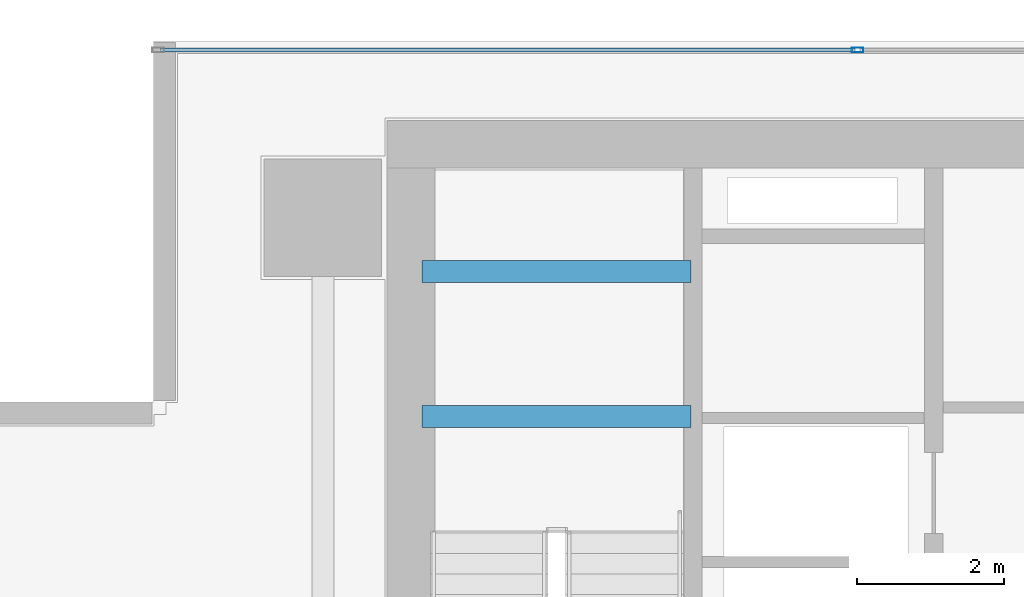
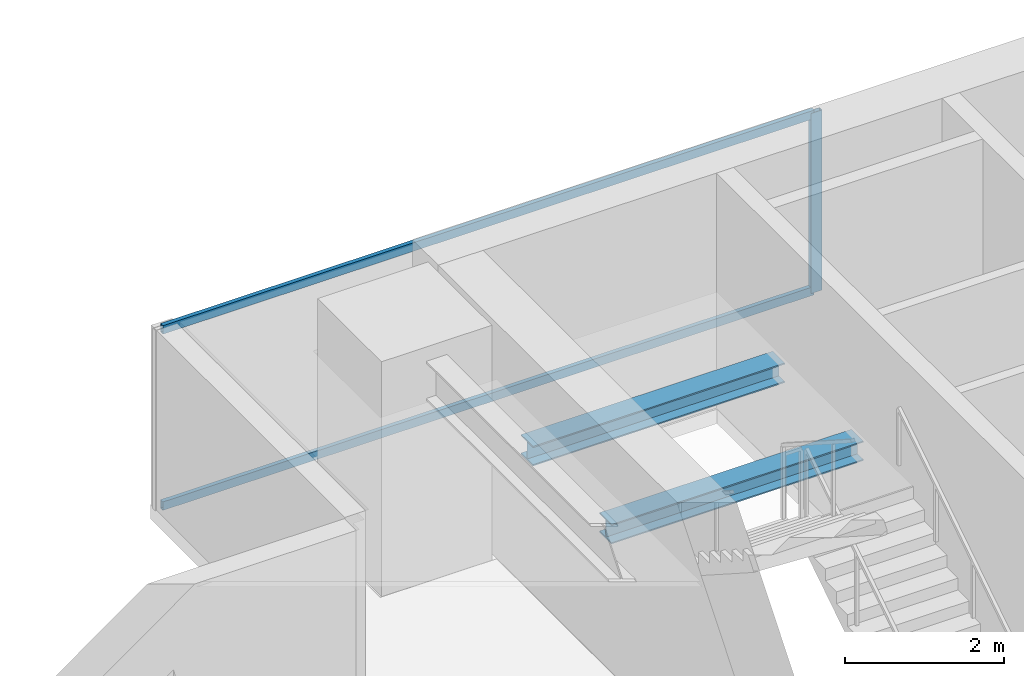
# One storey, part 15 of 28: 3 members, 2 beams, 1 element without a shape of its own.
"""IFC4 building model written with IfcOpenShell, lengths in metres."""

from ifc_helpers import new_model, si_unit, direction, frame, origin, origin_2d, place, context, subcontext, project, spatial, hollow_rectangle, i_section, extrude, source, transform, mapped, material, layer, layer_set, material_profile, profile_set, type_object, element, aggregate, save


model = new_model("IFC4")

# Units and contexts
model_context = context("Model", 3, precision=1e-05, world=origin(), true_north=direction((0.0, 1.0)))
body_context = subcontext(model_context, "Body", "Model", "MODEL_VIEW")
ifc_project = project(units=[si_unit("LENGTHUNIT", "METRE"), si_unit("AREAUNIT", "SQUARE_METRE"), si_unit("VOLUMEUNIT", "CUBIC_METRE"), si_unit("PLANEANGLEUNIT", "RADIAN"), si_unit("MASSUNIT", "GRAM", prefix="KILO")], contexts=[model_context])

# Site, building, storey
site_placement = place(None, origin())
site = spatial("IfcSite", under=ifc_project, at=site_placement, CompositionType="ELEMENT")
building_placement = place(site_placement, origin())
building = spatial("IfcBuilding", under=site, at=building_placement, Name="Sumidabori Civic Tower", CompositionType="ELEMENT")
storey_placement = place(building_placement, frame((0.0, 0.0, 171.199951171875)))
storey = spatial("IfcBuildingStorey", under=building, at=storey_placement, Name="L44", CompositionType="ELEMENT", Elevation=171.199951171875)

# Beams
ifc_material_1 = material(Name="Steel SN490", Category="steel")
ifc_material_profile_1 = material_profile(ifc_material_1, i_section(OverallWidth=0.300048828125, OverallDepth=0.300048828125, WebThickness=0.010986328125, FlangeThickness=0.01904296875, at=origin_2d()), Name="HE 300 B")
ifc_profile_set_1 = profile_set([ifc_material_profile_1], Name="Steel SN490")
beam_type = type_object("IfcBeamType", Name="BM-LDG-300", PredefinedType="BEAM", material=ifc_profile_set_1)
shared_shape_1 = source(origin(), body_context, "Body", "SweptSolid", [
    extrude(i_section(OverallWidth=0.300048828125, OverallDepth=0.300048828125, WebThickness=0.010986328125, FlangeThickness=0.01904296875, at=origin_2d()), origin(), (0.0, 0.0, 1.0), 3.64990234375),
])
for number, where, z_axis, x_axis, name in (
    (1, (-15.449951171875, 20.09765625, 1.449951171875), (1.0, 0.0, 0.0), (0.0, 1.0, 0.0), "Stair ST-1 Landing Support Beam L44-1A"),
    (2, (-15.449951171875, 22.069580078125, 1.449951171875), (1.0, 0.0, 0.0), (0.0, 1.0, 0.0), "Stair ST-1 Landing Trimmer Beam L44-1B"),
):
    element("IfcBeam", number, at=place(storey_placement, frame(where, z_axis=z_axis, x_axis=x_axis)), inside=storey, type_object=beam_type, Name=name, PredefinedType="BEAM", context=body_context, shape_type="MappedRepresentation", body=[
        mapped(shared_shape_1, transform((0.0, 0.0, 0.0), x_axis=(1.0, 0.0, 0.0), y_axis=(0.0, 1.0, 0.0), z_axis=(0.0, 0.0, 1.0), scale=1.0)),
    ])

# Curtain wall, members
ifc_material_2 = material(Name="Anodised Bronze Aluminium AW-6063-T6", Category="aluminium")
ifc_layer = layer(ifc_material_2, 0.179931640625, Name="Anodised Bronze Aluminium AW-6063-T6")
ifc_layer_set = layer_set([ifc_layer], Name="Anodised Bronze Aluminium AW-6063-T6")
curtain_wall_type = type_object("IfcCurtainWallType", Name="CW-SYS-3", PredefinedType="NOTDEFINED", material=ifc_layer_set)
curtain_wall_placement = place(storey_placement, origin())
curtain_wall = element("IfcCurtainWall", 3, at=curtain_wall_placement, inside=storey, type_object=curtain_wall_type, Name="Curtain Wall CW:L44:R07", PredefinedType="NOTDEFINED")
ifc_material_profile_2 = material_profile(ifc_material_2, hollow_rectangle(XDim=0.06494140625, YDim=0.159912109375, WallThickness=0.0048828125, at=origin_2d()), Name="ALU MULLION 160x65")
ifc_profile_set_2 = profile_set([ifc_material_profile_2], Name="Anodised Bronze Aluminium AW-6063-T6")
member_type_1 = type_object("IfcMemberType", Name="CW-MUL-160", PredefinedType="MULLION", material=ifc_profile_set_2)
shared_shape_2 = source(origin(), body_context, "Body", "SweptSolid", [
    extrude(hollow_rectangle(XDim=0.06494140625, YDim=0.159912109375, WallThickness=0.0048828125, at=origin_2d()), origin(), (0.0, 0.0, 1.0), 2.760009765625),
])
member_1_placement = place(storey_placement, frame((-9.534912109375, 25.080078125, 0.0), z_axis=(0.0, 0.0, 1.0), x_axis=(0.0, -1.0, 0.0)))
member_1 = element("IfcMember", 4, at=member_1_placement, type_object=member_type_1, Name="CW-3 mullion 4", PredefinedType="MULLION", context=body_context, shape_type="MappedRepresentation", body=[
    mapped(shared_shape_2, transform((0.0, 0.0, 0.0), x_axis=(1.0, 0.0, 0.0), y_axis=(0.0, 1.0, 0.0), z_axis=(0.0, 0.0, 1.0), scale=1.0)),
])
ifc_material_profile_3 = material_profile(ifc_material_2, hollow_rectangle(XDim=0.06005859375, YDim=0.1298828125, WallThickness=0.0048828125, at=origin_2d()), Name="ALU TRANSOM 130x60")
ifc_profile_set_3 = profile_set([ifc_material_profile_3], Name="Anodised Bronze Aluminium AW-6063-T6")
member_type_2 = type_object("IfcMemberType", Name="CW-TRN-130", PredefinedType="USERDEFINED", material=ifc_profile_set_3)
shared_shape_3 = source(origin(), body_context, "Body", "SweptSolid", [
    extrude(hollow_rectangle(XDim=0.06005859375, YDim=0.1298828125, WallThickness=0.0048828125, at=origin_2d()), origin(), (0.0, 0.0, 1.0), 9.4375),
])
member_2_placement = place(storey_placement, frame((-9.5673828125, 25.080078125, 0.030029296875), z_axis=(-1.0, 0.0, 0.0), x_axis=(0.0, -1.0, 0.0)))
member_2 = element("IfcMember", 5, at=member_2_placement, type_object=member_type_2, Name="CW-3 transom 4.1", ObjectType="TRANSOM", PredefinedType="USERDEFINED", context=body_context, shape_type="MappedRepresentation", body=[
    mapped(shared_shape_3, transform((0.0, 0.0, 0.0), x_axis=(1.0, 0.0, 0.0), y_axis=(0.0, 1.0, 0.0), z_axis=(0.0, 0.0, 1.0), scale=1.0)),
])
member_3_placement = place(storey_placement, frame((-9.5673828125, 25.080078125, 2.72998046875), z_axis=(-1.0, 0.0, 0.0), x_axis=(0.0, -1.0, 0.0)))
member_3 = element("IfcMember", 6, at=member_3_placement, type_object=member_type_2, Name="CW-3 transom 4.2", ObjectType="TRANSOM", PredefinedType="USERDEFINED", context=body_context, shape_type="MappedRepresentation", body=[
    mapped(shared_shape_3, transform((0.0, 0.0, 0.0), x_axis=(1.0, 0.0, 0.0), y_axis=(0.0, 1.0, 0.0), z_axis=(0.0, 0.0, 1.0), scale=1.0)),
])
aggregate(curtain_wall, [member_1, member_2, member_3])

save(model, "model.ifc")
